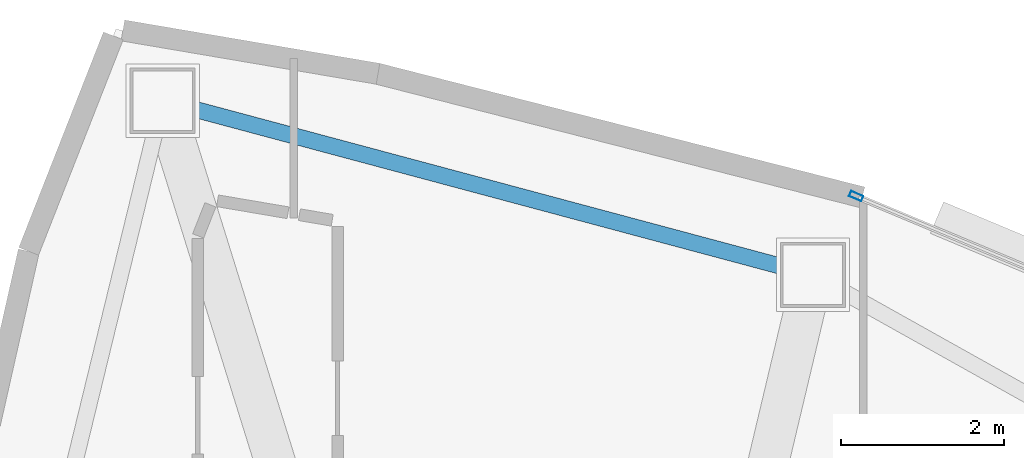
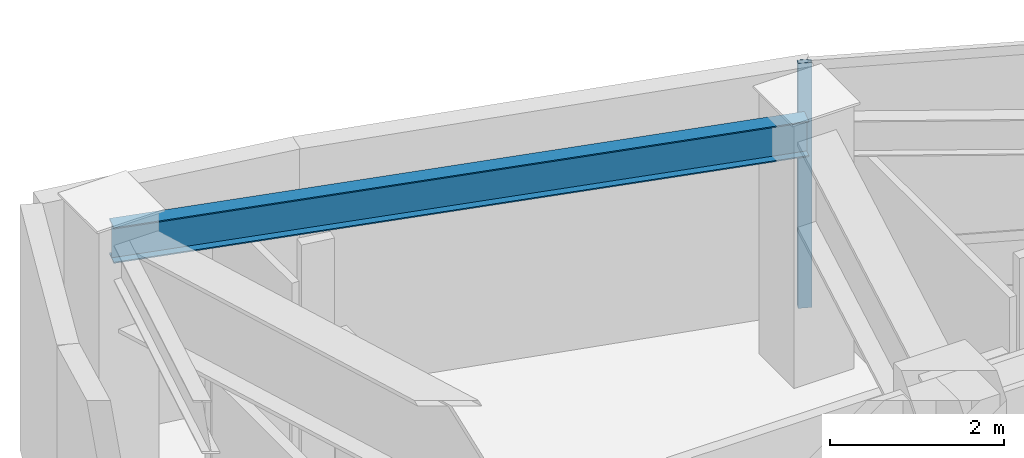
# One storey, part 9 of 15: 1 beam, 1 member, 1 element without a shape of its own.
"""IFC4 building model written with IfcOpenShell, lengths in metres."""

from ifc_helpers import new_model, si_unit, direction, frame, origin, origin_2d, place, context, subcontext, project, spatial, hollow_rectangle, i_section, extrude, material, layer, layer_set, material_profile, profile_set, type_object, element, aggregate, save


model = new_model("IFC4")

# Units and contexts
model_context = context("Model", 3, precision=1e-05, world=origin(), true_north=direction((0.0, 1.0)))
body_context = subcontext(model_context, "Body", "Model", "MODEL_VIEW")
ifc_project = project(units=[si_unit("LENGTHUNIT", "METRE"), si_unit("AREAUNIT", "SQUARE_METRE"), si_unit("VOLUMEUNIT", "CUBIC_METRE"), si_unit("PLANEANGLEUNIT", "RADIAN"), si_unit("MASSUNIT", "GRAM", prefix="KILO")], contexts=[model_context])

# Site, building, storey
site_placement = place(None, origin())
site = spatial("IfcSite", under=ifc_project, at=site_placement, CompositionType="ELEMENT")
building_placement = place(site_placement, origin())
building = spatial("IfcBuilding", under=site, at=building_placement, Name="Menara Vayukalpa", CompositionType="ELEMENT")
storey_placement = place(building_placement, frame((0.0, 0.0, 295.5)))
storey = spatial("IfcBuildingStorey", under=building, at=storey_placement, Name="L75", CompositionType="ELEMENT", Elevation=295.5)

# Beam
ifc_material_1 = material(Name="Steel S355", Category="steel")
ifc_material_profile_1 = material_profile(ifc_material_1, i_section(OverallWidth=0.199951171875, OverallDepth=0.5, WebThickness=0.010009765625, FlangeThickness=0.01611328125, at=origin_2d()), Name="WF 500x200x10x16")
ifc_profile_set_1 = profile_set([ifc_material_profile_1], Name="Steel S355")
beam_type = type_object("IfcBeamType", Name="BM-SP3", PredefinedType="SPANDREL", material=ifc_profile_set_1)
beam_placement = place(storey_placement, frame((23.3818359375, 32.40478515625, 3.18994140625), z_axis=(-0.965978332552, 0.258623009494, 0.0), x_axis=(-0.258623009494, -0.965978332552, 0.0)))
element("IfcBeam", 1, at=beam_placement, inside=storey, type_object=beam_type, Name="L75 Perimeter Spandrel Beam SP03", PredefinedType="SPANDREL", context=body_context, shape_type="SweptSolid", body=[
    extrude(i_section(OverallWidth=0.199951171875, OverallDepth=0.5, WebThickness=0.010009765625, FlangeThickness=0.01611328125, at=origin_2d()), origin(), (0.0, 0.0, 1.0), 8.274169921875),
])

# Curtain wall, member
ifc_material_2 = material(Name="Anodised Terracotta Aluminium Alloy 6063-T6", Category="masonry")
ifc_layer = layer(ifc_material_2, 0.1650390625)
ifc_layer_set = layer_set([ifc_layer], Name="Anodised Terracotta Aluminium Alloy 6063-T6")
curtain_wall_type = type_object("IfcCurtainWallType", Name="CW-CW6", PredefinedType="USERDEFINED", material=ifc_layer_set)
curtain_wall_placement = place(storey_placement, origin())
curtain_wall = element("IfcCurtainWall", 2, at=curtain_wall_placement, inside=storey, type_object=curtain_wall_type, Name="L75 Observation and Executive Curtain Wall CW6 05", ObjectType="UNITISED", PredefinedType="USERDEFINED")
ifc_material_3 = material(Name="Anodised Terracotta Aluminium Alloy 6063-T6", Category="masonry")
ifc_material_profile_2 = material_profile(ifc_material_3, hollow_rectangle(XDim=0.070068359375, YDim=0.1650390625, WallThickness=0.00390625, at=origin_2d()), Name="ALU 70x165x4")
ifc_profile_set_2 = profile_set([ifc_material_profile_2], Name="Anodised Terracotta Aluminium Alloy 6063-T6")
member_type = type_object("IfcMemberType", Name="CWM-CW6", PredefinedType="MULLION", material=ifc_profile_set_2)
member_placement = place(storey_placement, frame((23.913330078125, 33.37158203125, 0.0), z_axis=(0.0, 0.0, 1.0), x_axis=(-0.385899911703, -0.922540653927, 0.0)))
member = element("IfcMember", 3, at=member_placement, type_object=member_type, Name="CW6 mullion 3", PredefinedType="MULLION", context=body_context, shape_type="SweptSolid", body=[
    extrude(hollow_rectangle(XDim=0.070068359375, YDim=0.1650390625, WallThickness=0.00390625, at=origin_2d()), origin(), (0.0, 0.0, 1.0), 3.43994140625),
])
aggregate(curtain_wall, [member])

save(model, "model.ifc")
